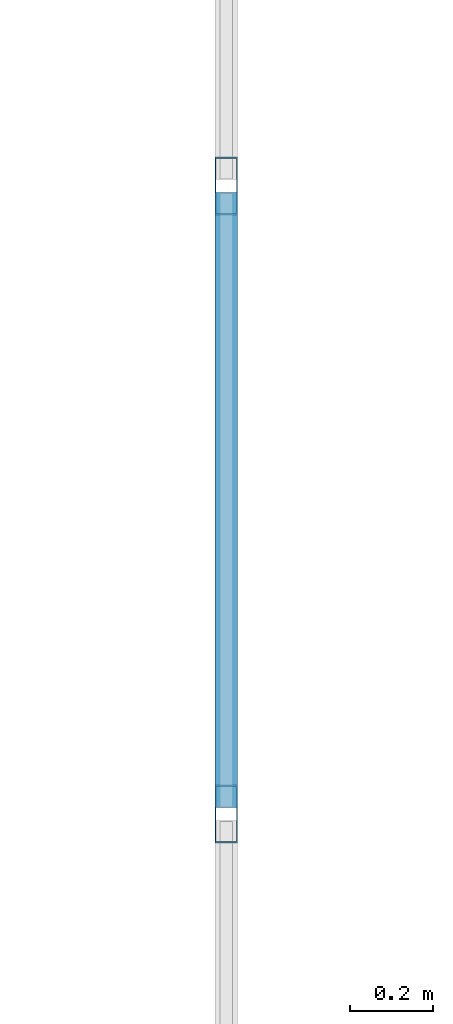
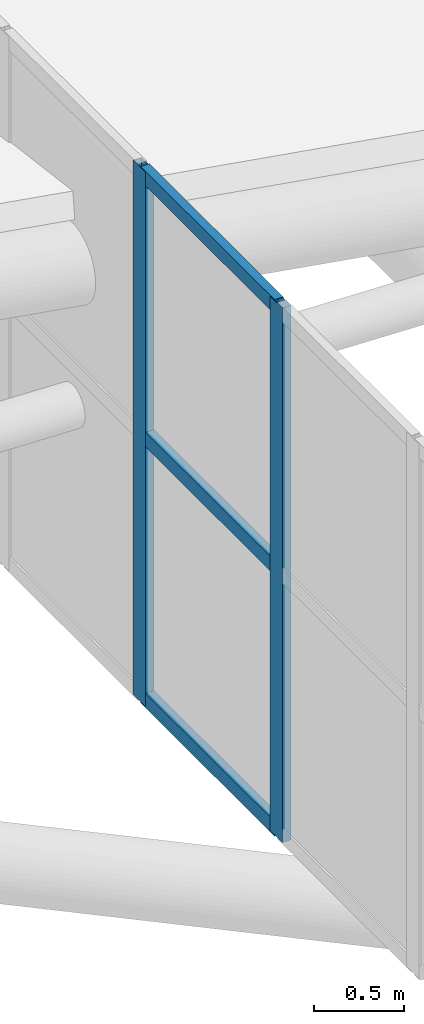
# One storey, part 288 of 397: 5 members, 1 element without a shape of its own.
"""IFC4 building model written with IfcOpenShell, lengths in metres."""

from ifc_helpers import new_model, si_unit, direction, frame, origin, origin_2d, place, context, subcontext, project, spatial, hollow_rectangle, extrude, material, material_profile, profile_set, type_object, element, aggregate, save


model = new_model("IFC4")

# Units and contexts
model_context = context("Model", 3, precision=1e-05, world=origin(), true_north=direction((0.0, 1.0)))
body_context = subcontext(model_context, "Body", "Model", "MODEL_VIEW")
ifc_project = project(units=[si_unit("LENGTHUNIT", "METRE"), si_unit("AREAUNIT", "SQUARE_METRE"), si_unit("VOLUMEUNIT", "CUBIC_METRE"), si_unit("PLANEANGLEUNIT", "RADIAN"), si_unit("MASSUNIT", "GRAM", prefix="KILO")], contexts=[model_context])

# Site, building, storey
site_placement = place(None, origin())
site = spatial("IfcSite", under=ifc_project, at=site_placement, CompositionType="ELEMENT")
building_placement = place(site_placement, origin())
building = spatial("IfcBuilding", under=site, at=building_placement, Name="Qandorah Velis Arena", CompositionType="ELEMENT")
storey_placement = place(building_placement, frame((0.0, 0.0, 27.5)))
storey = spatial("IfcBuildingStorey", under=building, at=storey_placement, Name="RF", CompositionType="ELEMENT", Elevation=27.5)

# Curtain wall, members
ifc_material_1 = material(Name="Solar-control low-E double glazing", Category="glass")
curtain_wall_type = type_object("IfcCurtainWallType", Name="ARC-CW-SYS17", PredefinedType="USERDEFINED", material=ifc_material_1)
curtain_wall_placement = place(storey_placement, origin())
curtain_wall = element("IfcCurtainWall", 1, at=curtain_wall_placement, inside=storey, type_object=curtain_wall_type, Name="Unitised curtain wall MON-2-5", ObjectType="UNITISED CURTAIN WALL", PredefinedType="USERDEFINED")
ifc_material_2 = material(Name="Champagne-bronze anodized aluminium 6063-T6", Category="aluminium")
ifc_material_profile_1 = material_profile(ifc_material_2, hollow_rectangle(XDim=0.054931640625, YDim=0.139892578125, WallThickness=0.0029296875, at=origin_2d()), Name="ALU MULLION 55x140")
ifc_profile_set_1 = profile_set([ifc_material_profile_1], Name="Champagne-bronze anodized aluminium 6063-T6")
member_type_1 = type_object("IfcMemberType", Name="ARC-CWM-140", PredefinedType="MULLION", material=ifc_profile_set_1)
member_1_placement = place(storey_placement, frame((108.0, 84.11669921875, 5.13427734375), z_axis=(0.0, 0.0, 1.0), x_axis=(-1.0, 0.0, 0.0)))
member_1 = element("IfcMember", 2, at=member_1_placement, type_object=member_type_1, Name="CW17 mullion 4", PredefinedType="MULLION", context=body_context, shape_type="SweptSolid", body=[
    extrude(hollow_rectangle(XDim=0.054931640625, YDim=0.139892578125, WallThickness=0.0029296875, at=origin_2d()), origin(), (0.0, 0.0, 1.0), 3.630126953125),
])
member_2_placement = place(storey_placement, frame((108.0, 85.638916015625, 5.13427734375), z_axis=(0.0, 0.0, 1.0), x_axis=(-1.0, 0.0, 0.0)))
member_2 = element("IfcMember", 3, at=member_2_placement, type_object=member_type_1, Name="CW17 mullion 5", PredefinedType="MULLION", context=body_context, shape_type="SweptSolid", body=[
    extrude(hollow_rectangle(XDim=0.054931640625, YDim=0.139892578125, WallThickness=0.0029296875, at=origin_2d()), origin(), (0.0, 0.0, 1.0), 3.630126953125),
])
ifc_material_profile_2 = material_profile(ifc_material_2, hollow_rectangle(XDim=0.054931640625, YDim=0.10009765625, WallThickness=0.0029296875, at=origin_2d()), Name="ALU TRANSOM 55x100")
ifc_profile_set_2 = profile_set([ifc_material_profile_2], Name="Champagne-bronze anodized aluminium 6063-T6")
member_type_2 = type_object("IfcMemberType", Name="ARC-CWT-100", PredefinedType="USERDEFINED", material=ifc_profile_set_2)
member_3_placement = place(storey_placement, frame((108.0, 84.132080078125, 5.1767578125), z_axis=(0.0, 1.0, 0.0), x_axis=(-1.0, 0.0, 0.0)))
member_3 = element("IfcMember", 4, at=member_3_placement, type_object=member_type_2, Name="CW17 transom 4.1", ObjectType="TRANSOM", PredefinedType="USERDEFINED", context=body_context, shape_type="SweptSolid", body=[
    extrude(hollow_rectangle(XDim=0.054931640625, YDim=0.10009765625, WallThickness=0.0029296875, at=origin_2d()), origin(), (0.0, 0.0, 1.0), 1.4912109375),
])
member_4_placement = place(storey_placement, frame((108.0, 84.132080078125, 6.94921875), z_axis=(0.0, 1.0, 0.0), x_axis=(-1.0, 0.0, 0.0)))
member_4 = element("IfcMember", 5, at=member_4_placement, type_object=member_type_2, Name="CW17 transom 4.2", ObjectType="TRANSOM", PredefinedType="USERDEFINED", context=body_context, shape_type="SweptSolid", body=[
    extrude(hollow_rectangle(XDim=0.054931640625, YDim=0.10009765625, WallThickness=0.0029296875, at=origin_2d()), origin(), (0.0, 0.0, 1.0), 1.4912109375),
])
member_5_placement = place(storey_placement, frame((108.0, 84.132080078125, 8.7216796875), z_axis=(0.0, 1.0, 0.0), x_axis=(-1.0, 0.0, 0.0)))
member_5 = element("IfcMember", 6, at=member_5_placement, type_object=member_type_2, Name="CW17 transom 4.3", ObjectType="TRANSOM", PredefinedType="USERDEFINED", context=body_context, shape_type="SweptSolid", body=[
    extrude(hollow_rectangle(XDim=0.054931640625, YDim=0.10009765625, WallThickness=0.0029296875, at=origin_2d()), origin(), (0.0, 0.0, 1.0), 1.4912109375),
])
aggregate(curtain_wall, [member_1, member_2, member_3, member_4, member_5])

save(model, "model.ifc")
